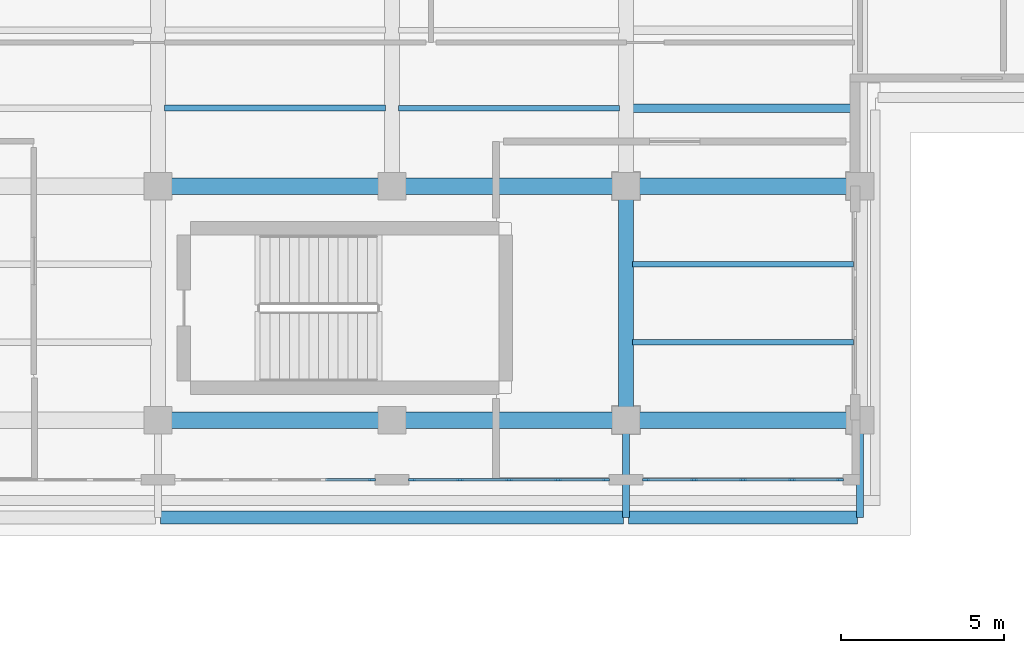
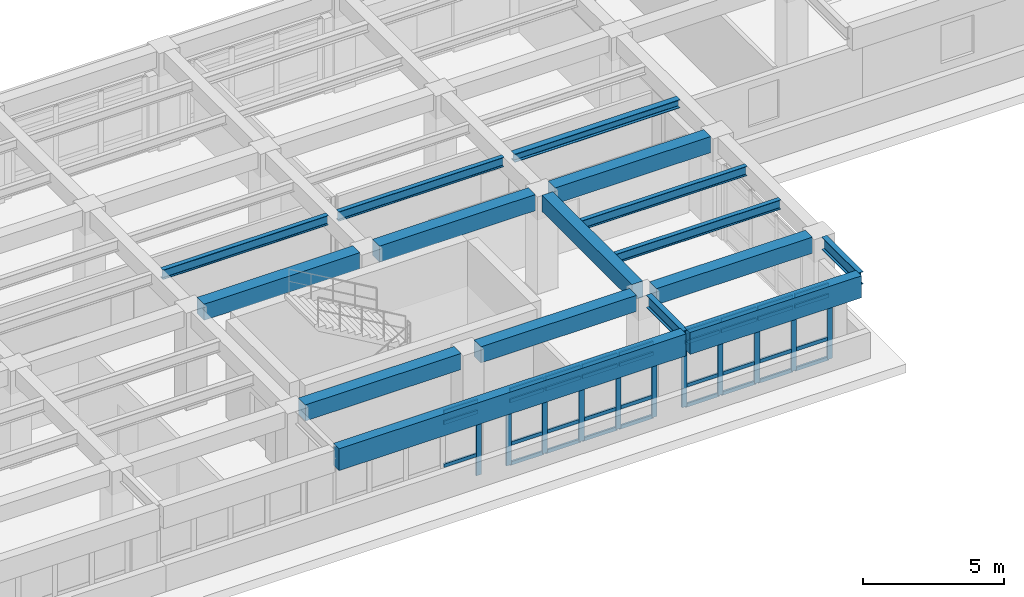
# One storey, part 41 of 98: 46 members, 16 beams, 3 elements without a shape of their own.
"""IFC4 building model written with IfcOpenShell, lengths in metres."""

from ifc_helpers import new_model, si_unit, direction, frame, origin, origin_2d, place, context, subcontext, project, spatial, rectangle, i_section, extrude, material, layer, layer_set, material_profile, profile_set, type_object, element, aggregate, save


model = new_model("IFC4")

# Units and contexts
model_context = context("Model", 3, precision=1e-05, world=origin(), true_north=direction((0.0, 1.0)))
body_context = subcontext(model_context, "Body", "Model", "MODEL_VIEW")
ifc_project = project(units=[si_unit("LENGTHUNIT", "METRE"), si_unit("AREAUNIT", "SQUARE_METRE"), si_unit("VOLUMEUNIT", "CUBIC_METRE"), si_unit("PLANEANGLEUNIT", "RADIAN"), si_unit("MASSUNIT", "GRAM", prefix="KILO")], contexts=[model_context])

# Site, building, storey
site_placement = place(None, origin())
site = spatial("IfcSite", under=ifc_project, at=site_placement, CompositionType="ELEMENT")
building_placement = place(site_placement, origin())
building = spatial("IfcBuilding", under=site, at=building_placement, Name="Solenvale Faculty of Natural Sciences", CompositionType="ELEMENT")
storey_placement = place(building_placement, frame((0.0, 0.0, 9.0)))
storey = spatial("IfcBuildingStorey", under=building, at=storey_placement, Name="L02", CompositionType="ELEMENT", Elevation=9.0)

# Beams
ifc_material_1 = material(Name="Concrete 40 MPa", Category="concrete")
ifc_material_profile_1 = material_profile(ifc_material_1, rectangle(XDim=0.449951171875, YDim=0.699951171875, at=origin_2d()), Name="RC-BM-450x700")
ifc_profile_set_1 = profile_set([ifc_material_profile_1], Name="Concrete 40 MPa")
beam_type_1 = type_object("IfcBeamType", Name="BM-RC-450x700", PredefinedType="BEAM", material=ifc_profile_set_1)
beam_1_placement = place(storey_placement, frame((108.0, 22.0048828125, 3.8701171875), z_axis=(0.0, 1.0, 0.0), x_axis=(-1.0, 0.0, 0.0)))
element("IfcBeam", 1, at=beam_1_placement, inside=storey, type_object=beam_type_1, Name="L02 Y-Girder X108.0 (21.6..28.8)", PredefinedType="BEAM", context=body_context, shape_type="SweptSolid", body=[
    extrude(rectangle(XDim=0.449951171875, YDim=0.699951171875, at=origin_2d()), origin(), (0.0, 0.0, 1.0), 6.39013671875),
])
ifc_material_profile_2 = material_profile(ifc_material_1, rectangle(XDim=0.5, YDim=0.699951171875, at=origin_2d()), Name="RC-BM-500x700")
ifc_profile_set_2 = profile_set([ifc_material_profile_2], Name="Concrete 40 MPa")
beam_type_2 = type_object("IfcBeamType", Name="BM-RC-500x700", PredefinedType="BEAM", material=ifc_profile_set_2)
beam_2_placement = place(storey_placement, frame((94.0048828125, 21.60009765625, 3.8701171875), z_axis=(1.0, 0.0, 0.0), x_axis=(0.0, 1.0, 0.0)))
element("IfcBeam", 2, at=beam_2_placement, inside=storey, type_object=beam_type_2, Name="L02 X-Girder Y21.6 (93.6..100.8)", PredefinedType="BEAM", context=body_context, shape_type="SweptSolid", body=[
    extrude(rectangle(XDim=0.5, YDim=0.699951171875, at=origin_2d()), origin(), (0.0, 0.0, 1.0), 6.39013671875),
])
for number, where, z_axis, x_axis, name in (
    (3, (101.205078125, 21.60009765625, 3.8701171875), (1.0, 0.0, 0.0), (0.0, 1.0, 0.0), "L02 X-Girder Y21.6 (100.8..108.0)"),
    (4, (108.405029296875, 21.60009765625, 3.8701171875), (1.0, 0.0, 0.0), (0.0, 1.0, 0.0), "L02 X-Girder Y21.6 (108.0..115.2)"),
):
    element("IfcBeam", number, at=place(storey_placement, frame(where, z_axis=z_axis, x_axis=x_axis)), inside=storey, type_object=beam_type_2, Name=name, PredefinedType="BEAM", context=body_context, shape_type="SweptSolid", body=[
        extrude(rectangle(XDim=0.5, YDim=0.699951171875, at=origin_2d()), origin(), (0.0, 0.0, 1.0), 6.389892578125),
    ])
beam_3_placement = place(storey_placement, frame((94.0048828125, 28.800048828125, 3.8701171875), z_axis=(1.0, 0.0, 0.0), x_axis=(0.0, 1.0, 0.0)))
element("IfcBeam", 5, at=beam_3_placement, inside=storey, type_object=beam_type_2, Name="L02 X-Girder Y28.8 (93.6..100.8)", PredefinedType="BEAM", context=body_context, shape_type="SweptSolid", body=[
    extrude(rectangle(XDim=0.5, YDim=0.699951171875, at=origin_2d()), origin(), (0.0, 0.0, 1.0), 6.39013671875),
])
for number, where, z_axis, x_axis, name in (
    (6, (101.205078125, 28.800048828125, 3.8701171875), (1.0, 0.0, 0.0), (0.0, 1.0, 0.0), "L02 X-Girder Y28.8 (100.8..108.0)"),
    (7, (108.405029296875, 28.800048828125, 3.8701171875), (1.0, 0.0, 0.0), (0.0, 1.0, 0.0), "L02 X-Girder Y28.8 (108.0..115.2)"),
):
    element("IfcBeam", number, at=place(storey_placement, frame(where, z_axis=z_axis, x_axis=x_axis)), inside=storey, type_object=beam_type_2, Name=name, PredefinedType="BEAM", context=body_context, shape_type="SweptSolid", body=[
        extrude(rectangle(XDim=0.5, YDim=0.699951171875, at=origin_2d()), origin(), (0.0, 0.0, 1.0), 6.389892578125),
    ])
ifc_material_2 = material(Name="Architectural bronze concrete 40 MPa", Category="concrete")
ifc_material_profile_3 = material_profile(ifc_material_2, rectangle(XDim=0.39990234375, YDim=0.949951171875, at=origin_2d()), Name="RC-SPN-400x950")
ifc_profile_set_3 = profile_set([ifc_material_profile_3], Name="Architectural bronze concrete 40 MPa")
beam_type_3 = type_object("IfcBeamType", Name="BM-SPN-BRZ-950", PredefinedType="SPANDREL", material=ifc_profile_set_3)
beam_4_placement = place(storey_placement, frame((93.679931640625, 18.60009765625, 3.7451171875), z_axis=(1.0, 0.0, 0.0), x_axis=(0.0, 1.0, 0.0)))
element("IfcBeam", 8, at=beam_4_placement, inside=storey, type_object=beam_type_3, Name="L03 Sliding-Tray South Bronze Fascia 5", PredefinedType="SPANDREL", context=body_context, shape_type="SweptSolid", body=[
    extrude(rectangle(XDim=0.39990234375, YDim=0.949951171875, at=origin_2d()), origin(), (0.0, 0.0, 1.0), 14.239990234375),
])
beam_5_placement = place(storey_placement, frame((108.080078125, 18.60009765625, 3.7451171875), z_axis=(1.0, 0.0, 0.0), x_axis=(0.0, 1.0, 0.0)))
element("IfcBeam", 9, at=beam_5_placement, inside=storey, type_object=beam_type_3, Name="L03 Sliding-Tray South Bronze Fascia 6", PredefinedType="SPANDREL", context=body_context, shape_type="SweptSolid", body=[
    extrude(rectangle(XDim=0.39990234375, YDim=0.949951171875, at=origin_2d()), origin(), (0.0, 0.0, 1.0), 7.0400390625),
])
ifc_material_3 = material(Name="Steel S355", Category="steel")
ifc_material_profile_4 = material_profile(ifc_material_3, i_section(OverallWidth=0.2548828125, OverallDepth=0.35693359375, WebThickness=0.010498046875, FlangeThickness=0.018310546875, FilletRadius=0.014892578125, at=origin_2d()), Name="W360x101")
ifc_profile_set_4 = profile_set([ifc_material_profile_4], Name="Steel S355")
beam_type_4 = type_object("IfcBeamType", Name="BM-STL-W360x101", PredefinedType="JOIST", material=ifc_profile_set_4)
beam_6_placement = place(storey_placement, frame((108.205078125, 31.199951171875, 4.04150390625), z_axis=(1.0, 0.0, 0.0), x_axis=(0.0, 1.0, 0.0)))
element("IfcBeam", 10, at=beam_6_placement, inside=storey, type_object=beam_type_4, Name="L02 Composite Floor Joist (16,5).1", PredefinedType="JOIST", context=body_context, shape_type="SweptSolid", body=[
    extrude(i_section(OverallWidth=0.2548828125, OverallDepth=0.35693359375, WebThickness=0.010498046875, FlangeThickness=0.018310546875, FilletRadius=0.014892578125, at=origin_2d()), origin(), (0.0, 0.0, 1.0), 6.7900390625),
])
ifc_material_profile_5 = material_profile(ifc_material_3, i_section(OverallWidth=0.178955078125, OverallDepth=0.409912109375, WebThickness=0.0087890625, FlangeThickness=0.014404296875, FilletRadius=0.01611328125, at=origin_2d()), Name="W410x67")
ifc_profile_set_5 = profile_set([ifc_material_profile_5], Name="Steel S355")
beam_type_5 = type_object("IfcBeamType", Name="BM-STL-W410x67", PredefinedType="JOIST", material=ifc_profile_set_5)
for number, where, z_axis, x_axis, name in (
    (11, (101.0048828125, 31.199951171875, 4.014892578125), (1.0, 0.0, 0.0), (0.0, 1.0, 0.0), "L02 Composite Floor Joist (15,5).1"),
    (12, (108.205078125, 24.0, 4.014892578125), (1.0, 0.0, 0.0), (0.0, 1.0, 0.0), "L02 Composite Floor Joist (16,4).1"),
    (13, (108.205078125, 26.39990234375, 4.014892578125), (1.0, 0.0, 0.0), (0.0, 1.0, 0.0), "L02 Composite Floor Joist (16,4).2"),
):
    element("IfcBeam", number, at=place(storey_placement, frame(where, z_axis=z_axis, x_axis=x_axis)), inside=storey, type_object=beam_type_5, Name=name, PredefinedType="JOIST", context=body_context, shape_type="SweptSolid", body=[
        extrude(i_section(OverallWidth=0.178955078125, OverallDepth=0.409912109375, WebThickness=0.0087890625, FlangeThickness=0.014404296875, FilletRadius=0.01611328125, at=origin_2d()), origin(), (0.0, 0.0, 1.0), 6.7900390625),
    ])
ifc_material_profile_6 = material_profile(ifc_material_3, i_section(OverallWidth=0.180908203125, OverallDepth=0.4169921875, WebThickness=0.010986328125, FlangeThickness=0.018310546875, FilletRadius=0.01611328125, at=origin_2d()), Name="W410x85")
ifc_profile_set_6 = profile_set([ifc_material_profile_6], Name="Steel S355")
beam_type_6 = type_object("IfcBeamType", Name="BM-STL-W410x85", PredefinedType="JOIST", material=ifc_profile_set_6)
beam_7_placement = place(storey_placement, frame((93.804931640625, 31.199951171875, 4.011474609375), z_axis=(1.0, 0.0, 0.0), x_axis=(0.0, 1.0, 0.0)))
element("IfcBeam", 14, at=beam_7_placement, inside=storey, type_object=beam_type_6, Name="L02 Composite Floor Joist (14,5).1", PredefinedType="JOIST", context=body_context, shape_type="SweptSolid", body=[
    extrude(i_section(OverallWidth=0.180908203125, OverallDepth=0.4169921875, WebThickness=0.010986328125, FlangeThickness=0.018310546875, FilletRadius=0.01611328125, at=origin_2d()), origin(), (0.0, 0.0, 1.0), 6.7900390625),
])
ifc_material_profile_7 = material_profile(ifc_material_3, i_section(OverallWidth=0.2119140625, OverallDepth=0.5439453125, WebThickness=0.01318359375, FlangeThickness=0.021240234375, FilletRadius=0.01904296875, at=origin_2d()), Name="W530x123")
ifc_profile_set_7 = profile_set([ifc_material_profile_7], Name="Steel S355")
beam_type_7 = type_object("IfcBeamType", Name="BM-STL-W530x123", PredefinedType="BEAM", material=ifc_profile_set_7)
for number, where, z_axis, x_axis, name in (
    (15, (108.0, 21.195068359375, 3.947998046875), (0.0, -1.0, 0.0), (1.0, 0.0, 0.0), "L02 V4 Cantilever Tray Girder X108.0"),
    (16, (115.199951171875, 21.195068359375, 3.947998046875), (0.0, -1.0, 0.0), (1.0, 0.0, 0.0), "L02 V4 Cantilever Tray Girder X115.2"),
):
    element("IfcBeam", number, at=place(storey_placement, frame(where, z_axis=z_axis, x_axis=x_axis)), inside=storey, type_object=beam_type_7, Name=name, PredefinedType="BEAM", context=body_context, shape_type="SweptSolid", body=[
        extrude(i_section(OverallWidth=0.2119140625, OverallDepth=0.5439453125, WebThickness=0.01318359375, FlangeThickness=0.021240234375, FilletRadius=0.01904296875, at=origin_2d()), origin(), (0.0, 0.0, 1.0), 2.594970703125),
    ])

# Curtain wall, member
ifc_material_4 = material(Name="Anodised bronze aluminium", Category="aluminium")
ifc_layer = layer(ifc_material_4, 0.18994140625)
ifc_layer_set = layer_set([ifc_layer], Name="Anodised bronze aluminium")
curtain_wall_type = type_object("IfcCurtainWallType", Name="CW-TRAY-REC", PredefinedType="USERDEFINED", material=ifc_layer_set)
curtain_wall_1_placement = place(storey_placement, origin())
curtain_wall_1 = element("IfcCurtainWall", 17, at=curtain_wall_1_placement, inside=storey, type_object=curtain_wall_type, Name="L02 Curtain Wall CW-L02-P1-E12-B6", ObjectType="UNITISED CURTAIN WALL", PredefinedType="USERDEFINED")
ifc_material_profile_8 = material_profile(ifc_material_4, rectangle(XDim=0.074951171875, YDim=0.2099609375, at=origin_2d()), Name="ALU-MUL-75x210")
ifc_profile_set_8 = profile_set([ifc_material_profile_8], Name="Anodised bronze aluminium")
member_type_1 = type_object("IfcMemberType", Name="CWM-ALU-75x210", PredefinedType="MULLION", material=ifc_profile_set_8)
member_1_placement = place(storey_placement, frame((100.1826171875, 19.762451171875, 0.0), z_axis=(0.0, 0.0, 1.0), x_axis=(0.0, 1.0, 0.0)))
member_1 = element("IfcMember", 18, at=member_1_placement, type_object=member_type_1, Name="CW-02 mullion 5", PredefinedType="MULLION", context=body_context, shape_type="SweptSolid", body=[
    extrude(rectangle(XDim=0.074951171875, YDim=0.2099609375, at=origin_2d()), origin(), (0.0, 0.0, 1.0), 3.260009765625),
])

# Curtain wall, members
curtain_wall_2_placement = place(storey_placement, origin())
curtain_wall_2 = element("IfcCurtainWall", 19, at=curtain_wall_2_placement, inside=storey, type_object=curtain_wall_type, Name="L02 Curtain Wall CW-L02-P1-E12-B7", ObjectType="UNITISED CURTAIN WALL", PredefinedType="USERDEFINED")
member_2_placement = place(storey_placement, frame((101.41748046875, 19.762451171875, 0.0), z_axis=(0.0, 0.0, 1.0), x_axis=(0.0, 1.0, 0.0)))
member_2 = element("IfcMember", 20, at=member_2_placement, type_object=member_type_1, Name="CW-02 mullion 1", PredefinedType="MULLION", context=body_context, shape_type="SweptSolid", body=[
    extrude(rectangle(XDim=0.074951171875, YDim=0.2099609375, at=origin_2d()), origin(), (0.0, 0.0, 1.0), 3.260009765625),
])
member_3_placement = place(storey_placement, frame((102.889892578125, 19.762451171875, 0.0), z_axis=(0.0, 0.0, 1.0), x_axis=(0.0, 1.0, 0.0)))
member_3 = element("IfcMember", 21, at=member_3_placement, type_object=member_type_1, Name="CW-02 mullion 2", PredefinedType="MULLION", context=body_context, shape_type="SweptSolid", body=[
    extrude(rectangle(XDim=0.074951171875, YDim=0.2099609375, at=origin_2d()), origin(), (0.0, 0.0, 1.0), 3.260009765625),
])
member_4_placement = place(storey_placement, frame((104.39990234375, 19.762451171875, 0.0), z_axis=(0.0, 0.0, 1.0), x_axis=(0.0, 1.0, 0.0)))
member_4 = element("IfcMember", 22, at=member_4_placement, type_object=member_type_1, Name="CW-02 mullion 3", PredefinedType="MULLION", context=body_context, shape_type="SweptSolid", body=[
    extrude(rectangle(XDim=0.074951171875, YDim=0.2099609375, at=origin_2d()), origin(), (0.0, 0.0, 1.0), 3.260009765625),
])
member_5_placement = place(storey_placement, frame((105.909912109375, 19.762451171875, 0.0), z_axis=(0.0, 0.0, 1.0), x_axis=(0.0, 1.0, 0.0)))
member_5 = element("IfcMember", 23, at=member_5_placement, type_object=member_type_1, Name="CW-02 mullion 4", PredefinedType="MULLION", context=body_context, shape_type="SweptSolid", body=[
    extrude(rectangle(XDim=0.074951171875, YDim=0.2099609375, at=origin_2d()), origin(), (0.0, 0.0, 1.0), 3.260009765625),
])
member_6_placement = place(storey_placement, frame((107.382568359375, 19.762451171875, 0.0), z_axis=(0.0, 0.0, 1.0), x_axis=(0.0, 1.0, 0.0)))
member_6 = element("IfcMember", 24, at=member_6_placement, type_object=member_type_1, Name="CW-02 mullion 5", PredefinedType="MULLION", context=body_context, shape_type="SweptSolid", body=[
    extrude(rectangle(XDim=0.074951171875, YDim=0.2099609375, at=origin_2d()), origin(), (0.0, 0.0, 1.0), 3.260009765625),
])

curtain_wall_3_placement = place(storey_placement, origin())
curtain_wall_3 = element("IfcCurtainWall", 25, at=curtain_wall_3_placement, inside=storey, type_object=curtain_wall_type, Name="L02 Curtain Wall CW-L02-P1-E12-B8", ObjectType="UNITISED CURTAIN WALL", PredefinedType="USERDEFINED")
member_7_placement = place(storey_placement, frame((108.617431640625, 19.762451171875, 0.0), z_axis=(0.0, 0.0, 1.0), x_axis=(0.0, 1.0, 0.0)))
member_7 = element("IfcMember", 26, at=member_7_placement, type_object=member_type_1, Name="CW-02 mullion 1", PredefinedType="MULLION", context=body_context, shape_type="SweptSolid", body=[
    extrude(rectangle(XDim=0.074951171875, YDim=0.2099609375, at=origin_2d()), origin(), (0.0, 0.0, 1.0), 3.260009765625),
])
member_8_placement = place(storey_placement, frame((110.090087890625, 19.762451171875, 0.0), z_axis=(0.0, 0.0, 1.0), x_axis=(0.0, 1.0, 0.0)))
member_8 = element("IfcMember", 27, at=member_8_placement, type_object=member_type_1, Name="CW-02 mullion 2", PredefinedType="MULLION", context=body_context, shape_type="SweptSolid", body=[
    extrude(rectangle(XDim=0.074951171875, YDim=0.2099609375, at=origin_2d()), origin(), (0.0, 0.0, 1.0), 3.260009765625),
])
member_9_placement = place(storey_placement, frame((111.60009765625, 19.762451171875, 0.0), z_axis=(0.0, 0.0, 1.0), x_axis=(0.0, 1.0, 0.0)))
member_9 = element("IfcMember", 28, at=member_9_placement, type_object=member_type_1, Name="CW-02 mullion 3", PredefinedType="MULLION", context=body_context, shape_type="SweptSolid", body=[
    extrude(rectangle(XDim=0.074951171875, YDim=0.2099609375, at=origin_2d()), origin(), (0.0, 0.0, 1.0), 3.260009765625),
])
member_10_placement = place(storey_placement, frame((113.110107421875, 19.762451171875, 0.0), z_axis=(0.0, 0.0, 1.0), x_axis=(0.0, 1.0, 0.0)))
member_10 = element("IfcMember", 29, at=member_10_placement, type_object=member_type_1, Name="CW-02 mullion 4", PredefinedType="MULLION", context=body_context, shape_type="SweptSolid", body=[
    extrude(rectangle(XDim=0.074951171875, YDim=0.2099609375, at=origin_2d()), origin(), (0.0, 0.0, 1.0), 3.260009765625),
])
member_11_placement = place(storey_placement, frame((114.58251953125, 19.762451171875, 0.0), z_axis=(0.0, 0.0, 1.0), x_axis=(0.0, 1.0, 0.0)))
member_11 = element("IfcMember", 30, at=member_11_placement, type_object=member_type_1, Name="CW-02 mullion 5", PredefinedType="MULLION", context=body_context, shape_type="SweptSolid", body=[
    extrude(rectangle(XDim=0.074951171875, YDim=0.2099609375, at=origin_2d()), origin(), (0.0, 0.0, 1.0), 3.260009765625),
])

# Member
ifc_material_profile_9 = material_profile(ifc_material_4, rectangle(XDim=0.074951171875, YDim=0.155029296875, at=origin_2d()), Name="ALU-TRN-75x155")
ifc_profile_set_9 = profile_set([ifc_material_profile_9], Name="Anodised bronze aluminium")
member_type_2 = type_object("IfcMemberType", Name="CWT-ALU-75x155", PredefinedType="USERDEFINED", material=ifc_profile_set_9)
member_12_placement = place(storey_placement, frame((98.74755859375, 19.762451171875, 0.89990234375), z_axis=(1.0, 0.0, 0.0), x_axis=(0.0, 1.0, 0.0)))
member_12 = element("IfcMember", 31, at=member_12_placement, type_object=member_type_2, Name="CW-02 transom 4.2", ObjectType="TRANSOM", PredefinedType="USERDEFINED", context=body_context, shape_type="SweptSolid", body=[
    extrude(rectangle(XDim=0.074951171875, YDim=0.155029296875, at=origin_2d()), origin(), (0.0, 0.0, 1.0), 1.3974609375),
])

member_13_placement = place(storey_placement, frame((98.74755859375, 19.762451171875, 2.760009765625), z_axis=(1.0, 0.0, 0.0), x_axis=(0.0, 1.0, 0.0)))
member_13 = element("IfcMember", 32, at=member_13_placement, type_object=member_type_2, Name="CW-02 transom 4.3", ObjectType="TRANSOM", PredefinedType="USERDEFINED", context=body_context, shape_type="SweptSolid", body=[
    extrude(rectangle(XDim=0.074951171875, YDim=0.155029296875, at=origin_2d()), origin(), (0.0, 0.0, 1.0), 1.3974609375),
])

member_14_placement = place(storey_placement, frame((98.74755859375, 19.762451171875, 3.222412109375), z_axis=(1.0, 0.0, 0.0), x_axis=(0.0, 1.0, 0.0)))
member_14 = element("IfcMember", 33, at=member_14_placement, type_object=member_type_2, Name="CW-02 transom 4.4", ObjectType="TRANSOM", PredefinedType="USERDEFINED", context=body_context, shape_type="SweptSolid", body=[
    extrude(rectangle(XDim=0.074951171875, YDim=0.155029296875, at=origin_2d()), origin(), (0.0, 0.0, 1.0), 1.3974609375),
])

aggregate(curtain_wall_1, [member_1, member_12, member_13, member_14])

member_15_placement = place(storey_placement, frame((101.455078125, 19.762451171875, 0.03759765625), z_axis=(1.0, 0.0, 0.0), x_axis=(0.0, 1.0, 0.0)))
member_15 = element("IfcMember", 34, at=member_15_placement, type_object=member_type_2, Name="CW-02 transom 1.1", ObjectType="TRANSOM", PredefinedType="USERDEFINED", context=body_context, shape_type="SweptSolid", body=[
    extrude(rectangle(XDim=0.074951171875, YDim=0.155029296875, at=origin_2d()), origin(), (0.0, 0.0, 1.0), 1.3974609375),
])

member_16_placement = place(storey_placement, frame((101.455078125, 19.762451171875, 0.89990234375), z_axis=(1.0, 0.0, 0.0), x_axis=(0.0, 1.0, 0.0)))
member_16 = element("IfcMember", 35, at=member_16_placement, type_object=member_type_2, Name="CW-02 transom 1.2", ObjectType="TRANSOM", PredefinedType="USERDEFINED", context=body_context, shape_type="SweptSolid", body=[
    extrude(rectangle(XDim=0.074951171875, YDim=0.155029296875, at=origin_2d()), origin(), (0.0, 0.0, 1.0), 1.3974609375),
])

member_17_placement = place(storey_placement, frame((101.455078125, 19.762451171875, 2.760009765625), z_axis=(1.0, 0.0, 0.0), x_axis=(0.0, 1.0, 0.0)))
member_17 = element("IfcMember", 36, at=member_17_placement, type_object=member_type_2, Name="CW-02 transom 1.3", ObjectType="TRANSOM", PredefinedType="USERDEFINED", context=body_context, shape_type="SweptSolid", body=[
    extrude(rectangle(XDim=0.074951171875, YDim=0.155029296875, at=origin_2d()), origin(), (0.0, 0.0, 1.0), 1.3974609375),
])

member_18_placement = place(storey_placement, frame((101.455078125, 19.762451171875, 3.222412109375), z_axis=(1.0, 0.0, 0.0), x_axis=(0.0, 1.0, 0.0)))
member_18 = element("IfcMember", 37, at=member_18_placement, type_object=member_type_2, Name="CW-02 transom 1.4", ObjectType="TRANSOM", PredefinedType="USERDEFINED", context=body_context, shape_type="SweptSolid", body=[
    extrude(rectangle(XDim=0.074951171875, YDim=0.155029296875, at=origin_2d()), origin(), (0.0, 0.0, 1.0), 1.3974609375),
])

member_19_placement = place(storey_placement, frame((102.927490234375, 19.762451171875, 0.03759765625), z_axis=(1.0, 0.0, 0.0), x_axis=(0.0, 1.0, 0.0)))
member_19 = element("IfcMember", 38, at=member_19_placement, type_object=member_type_2, Name="CW-02 transom 2.1", ObjectType="TRANSOM", PredefinedType="USERDEFINED", context=body_context, shape_type="SweptSolid", body=[
    extrude(rectangle(XDim=0.074951171875, YDim=0.155029296875, at=origin_2d()), origin(), (0.0, 0.0, 1.0), 1.43505859375),
])

member_20_placement = place(storey_placement, frame((102.927490234375, 19.762451171875, 0.89990234375), z_axis=(1.0, 0.0, 0.0), x_axis=(0.0, 1.0, 0.0)))
member_20 = element("IfcMember", 39, at=member_20_placement, type_object=member_type_2, Name="CW-02 transom 2.2", ObjectType="TRANSOM", PredefinedType="USERDEFINED", context=body_context, shape_type="SweptSolid", body=[
    extrude(rectangle(XDim=0.074951171875, YDim=0.155029296875, at=origin_2d()), origin(), (0.0, 0.0, 1.0), 1.43505859375),
])

member_21_placement = place(storey_placement, frame((102.927490234375, 19.762451171875, 2.760009765625), z_axis=(1.0, 0.0, 0.0), x_axis=(0.0, 1.0, 0.0)))
member_21 = element("IfcMember", 40, at=member_21_placement, type_object=member_type_2, Name="CW-02 transom 2.3", ObjectType="TRANSOM", PredefinedType="USERDEFINED", context=body_context, shape_type="SweptSolid", body=[
    extrude(rectangle(XDim=0.074951171875, YDim=0.155029296875, at=origin_2d()), origin(), (0.0, 0.0, 1.0), 1.43505859375),
])

member_22_placement = place(storey_placement, frame((102.927490234375, 19.762451171875, 3.222412109375), z_axis=(1.0, 0.0, 0.0), x_axis=(0.0, 1.0, 0.0)))
member_22 = element("IfcMember", 41, at=member_22_placement, type_object=member_type_2, Name="CW-02 transom 2.4", ObjectType="TRANSOM", PredefinedType="USERDEFINED", context=body_context, shape_type="SweptSolid", body=[
    extrude(rectangle(XDim=0.074951171875, YDim=0.155029296875, at=origin_2d()), origin(), (0.0, 0.0, 1.0), 1.43505859375),
])

member_23_placement = place(storey_placement, frame((104.4375, 19.762451171875, 0.03759765625), z_axis=(1.0, 0.0, 0.0), x_axis=(0.0, 1.0, 0.0)))
member_23 = element("IfcMember", 42, at=member_23_placement, type_object=member_type_2, Name="CW-02 transom 3.1", ObjectType="TRANSOM", PredefinedType="USERDEFINED", context=body_context, shape_type="SweptSolid", body=[
    extrude(rectangle(XDim=0.074951171875, YDim=0.155029296875, at=origin_2d()), origin(), (0.0, 0.0, 1.0), 1.43505859375),
])

member_24_placement = place(storey_placement, frame((104.4375, 19.762451171875, 0.89990234375), z_axis=(1.0, 0.0, 0.0), x_axis=(0.0, 1.0, 0.0)))
member_24 = element("IfcMember", 43, at=member_24_placement, type_object=member_type_2, Name="CW-02 transom 3.2", ObjectType="TRANSOM", PredefinedType="USERDEFINED", context=body_context, shape_type="SweptSolid", body=[
    extrude(rectangle(XDim=0.074951171875, YDim=0.155029296875, at=origin_2d()), origin(), (0.0, 0.0, 1.0), 1.43505859375),
])

member_25_placement = place(storey_placement, frame((104.4375, 19.762451171875, 2.760009765625), z_axis=(1.0, 0.0, 0.0), x_axis=(0.0, 1.0, 0.0)))
member_25 = element("IfcMember", 44, at=member_25_placement, type_object=member_type_2, Name="CW-02 transom 3.3", ObjectType="TRANSOM", PredefinedType="USERDEFINED", context=body_context, shape_type="SweptSolid", body=[
    extrude(rectangle(XDim=0.074951171875, YDim=0.155029296875, at=origin_2d()), origin(), (0.0, 0.0, 1.0), 1.43505859375),
])

member_26_placement = place(storey_placement, frame((104.4375, 19.762451171875, 3.222412109375), z_axis=(1.0, 0.0, 0.0), x_axis=(0.0, 1.0, 0.0)))
member_26 = element("IfcMember", 45, at=member_26_placement, type_object=member_type_2, Name="CW-02 transom 3.4", ObjectType="TRANSOM", PredefinedType="USERDEFINED", context=body_context, shape_type="SweptSolid", body=[
    extrude(rectangle(XDim=0.074951171875, YDim=0.155029296875, at=origin_2d()), origin(), (0.0, 0.0, 1.0), 1.43505859375),
])

member_27_placement = place(storey_placement, frame((105.947509765625, 19.762451171875, 0.03759765625), z_axis=(1.0, 0.0, 0.0), x_axis=(0.0, 1.0, 0.0)))
member_27 = element("IfcMember", 46, at=member_27_placement, type_object=member_type_2, Name="CW-02 transom 4.1", ObjectType="TRANSOM", PredefinedType="USERDEFINED", context=body_context, shape_type="SweptSolid", body=[
    extrude(rectangle(XDim=0.074951171875, YDim=0.155029296875, at=origin_2d()), origin(), (0.0, 0.0, 1.0), 1.3974609375),
])

member_28_placement = place(storey_placement, frame((105.947509765625, 19.762451171875, 0.89990234375), z_axis=(1.0, 0.0, 0.0), x_axis=(0.0, 1.0, 0.0)))
member_28 = element("IfcMember", 47, at=member_28_placement, type_object=member_type_2, Name="CW-02 transom 4.2", ObjectType="TRANSOM", PredefinedType="USERDEFINED", context=body_context, shape_type="SweptSolid", body=[
    extrude(rectangle(XDim=0.074951171875, YDim=0.155029296875, at=origin_2d()), origin(), (0.0, 0.0, 1.0), 1.3974609375),
])

member_29_placement = place(storey_placement, frame((105.947509765625, 19.762451171875, 2.760009765625), z_axis=(1.0, 0.0, 0.0), x_axis=(0.0, 1.0, 0.0)))
member_29 = element("IfcMember", 48, at=member_29_placement, type_object=member_type_2, Name="CW-02 transom 4.3", ObjectType="TRANSOM", PredefinedType="USERDEFINED", context=body_context, shape_type="SweptSolid", body=[
    extrude(rectangle(XDim=0.074951171875, YDim=0.155029296875, at=origin_2d()), origin(), (0.0, 0.0, 1.0), 1.3974609375),
])

member_30_placement = place(storey_placement, frame((105.947509765625, 19.762451171875, 3.222412109375), z_axis=(1.0, 0.0, 0.0), x_axis=(0.0, 1.0, 0.0)))
member_30 = element("IfcMember", 49, at=member_30_placement, type_object=member_type_2, Name="CW-02 transom 4.4", ObjectType="TRANSOM", PredefinedType="USERDEFINED", context=body_context, shape_type="SweptSolid", body=[
    extrude(rectangle(XDim=0.074951171875, YDim=0.155029296875, at=origin_2d()), origin(), (0.0, 0.0, 1.0), 1.3974609375),
])

aggregate(curtain_wall_2, [member_2, member_3, member_4, member_5, member_6, member_15, member_16, member_17, member_18, member_19, member_20, member_21, member_22, member_23, member_24, member_25, member_26, member_27, member_28, member_29, member_30])

member_31_placement = place(storey_placement, frame((108.655029296875, 19.762451171875, 0.03759765625), z_axis=(1.0, 0.0, 0.0), x_axis=(0.0, 1.0, 0.0)))
member_31 = element("IfcMember", 50, at=member_31_placement, type_object=member_type_2, Name="CW-02 transom 1.1", ObjectType="TRANSOM", PredefinedType="USERDEFINED", context=body_context, shape_type="SweptSolid", body=[
    extrude(rectangle(XDim=0.074951171875, YDim=0.155029296875, at=origin_2d()), origin(), (0.0, 0.0, 1.0), 1.3974609375),
])

member_32_placement = place(storey_placement, frame((108.655029296875, 19.762451171875, 0.89990234375), z_axis=(1.0, 0.0, 0.0), x_axis=(0.0, 1.0, 0.0)))
member_32 = element("IfcMember", 51, at=member_32_placement, type_object=member_type_2, Name="CW-02 transom 1.2", ObjectType="TRANSOM", PredefinedType="USERDEFINED", context=body_context, shape_type="SweptSolid", body=[
    extrude(rectangle(XDim=0.074951171875, YDim=0.155029296875, at=origin_2d()), origin(), (0.0, 0.0, 1.0), 1.3974609375),
])

member_33_placement = place(storey_placement, frame((108.655029296875, 19.762451171875, 2.760009765625), z_axis=(1.0, 0.0, 0.0), x_axis=(0.0, 1.0, 0.0)))
member_33 = element("IfcMember", 52, at=member_33_placement, type_object=member_type_2, Name="CW-02 transom 1.3", ObjectType="TRANSOM", PredefinedType="USERDEFINED", context=body_context, shape_type="SweptSolid", body=[
    extrude(rectangle(XDim=0.074951171875, YDim=0.155029296875, at=origin_2d()), origin(), (0.0, 0.0, 1.0), 1.3974609375),
])

member_34_placement = place(storey_placement, frame((108.655029296875, 19.762451171875, 3.222412109375), z_axis=(1.0, 0.0, 0.0), x_axis=(0.0, 1.0, 0.0)))
member_34 = element("IfcMember", 53, at=member_34_placement, type_object=member_type_2, Name="CW-02 transom 1.4", ObjectType="TRANSOM", PredefinedType="USERDEFINED", context=body_context, shape_type="SweptSolid", body=[
    extrude(rectangle(XDim=0.074951171875, YDim=0.155029296875, at=origin_2d()), origin(), (0.0, 0.0, 1.0), 1.3974609375),
])

member_35_placement = place(storey_placement, frame((110.12744140625, 19.762451171875, 0.03759765625), z_axis=(1.0, 0.0, 0.0), x_axis=(0.0, 1.0, 0.0)))
member_35 = element("IfcMember", 54, at=member_35_placement, type_object=member_type_2, Name="CW-02 transom 2.1", ObjectType="TRANSOM", PredefinedType="USERDEFINED", context=body_context, shape_type="SweptSolid", body=[
    extrude(rectangle(XDim=0.074951171875, YDim=0.155029296875, at=origin_2d()), origin(), (0.0, 0.0, 1.0), 1.43505859375),
])

member_36_placement = place(storey_placement, frame((110.12744140625, 19.762451171875, 0.89990234375), z_axis=(1.0, 0.0, 0.0), x_axis=(0.0, 1.0, 0.0)))
member_36 = element("IfcMember", 55, at=member_36_placement, type_object=member_type_2, Name="CW-02 transom 2.2", ObjectType="TRANSOM", PredefinedType="USERDEFINED", context=body_context, shape_type="SweptSolid", body=[
    extrude(rectangle(XDim=0.074951171875, YDim=0.155029296875, at=origin_2d()), origin(), (0.0, 0.0, 1.0), 1.43505859375),
])

member_37_placement = place(storey_placement, frame((110.12744140625, 19.762451171875, 2.760009765625), z_axis=(1.0, 0.0, 0.0), x_axis=(0.0, 1.0, 0.0)))
member_37 = element("IfcMember", 56, at=member_37_placement, type_object=member_type_2, Name="CW-02 transom 2.3", ObjectType="TRANSOM", PredefinedType="USERDEFINED", context=body_context, shape_type="SweptSolid", body=[
    extrude(rectangle(XDim=0.074951171875, YDim=0.155029296875, at=origin_2d()), origin(), (0.0, 0.0, 1.0), 1.43505859375),
])

member_38_placement = place(storey_placement, frame((110.12744140625, 19.762451171875, 3.222412109375), z_axis=(1.0, 0.0, 0.0), x_axis=(0.0, 1.0, 0.0)))
member_38 = element("IfcMember", 57, at=member_38_placement, type_object=member_type_2, Name="CW-02 transom 2.4", ObjectType="TRANSOM", PredefinedType="USERDEFINED", context=body_context, shape_type="SweptSolid", body=[
    extrude(rectangle(XDim=0.074951171875, YDim=0.155029296875, at=origin_2d()), origin(), (0.0, 0.0, 1.0), 1.43505859375),
])

member_39_placement = place(storey_placement, frame((111.637451171875, 19.762451171875, 0.03759765625), z_axis=(1.0, 0.0, 0.0), x_axis=(0.0, 1.0, 0.0)))
member_39 = element("IfcMember", 58, at=member_39_placement, type_object=member_type_2, Name="CW-02 transom 3.1", ObjectType="TRANSOM", PredefinedType="USERDEFINED", context=body_context, shape_type="SweptSolid", body=[
    extrude(rectangle(XDim=0.074951171875, YDim=0.155029296875, at=origin_2d()), origin(), (0.0, 0.0, 1.0), 1.43505859375),
])

member_40_placement = place(storey_placement, frame((111.637451171875, 19.762451171875, 0.89990234375), z_axis=(1.0, 0.0, 0.0), x_axis=(0.0, 1.0, 0.0)))
member_40 = element("IfcMember", 59, at=member_40_placement, type_object=member_type_2, Name="CW-02 transom 3.2", ObjectType="TRANSOM", PredefinedType="USERDEFINED", context=body_context, shape_type="SweptSolid", body=[
    extrude(rectangle(XDim=0.074951171875, YDim=0.155029296875, at=origin_2d()), origin(), (0.0, 0.0, 1.0), 1.43505859375),
])

member_41_placement = place(storey_placement, frame((111.637451171875, 19.762451171875, 2.760009765625), z_axis=(1.0, 0.0, 0.0), x_axis=(0.0, 1.0, 0.0)))
member_41 = element("IfcMember", 60, at=member_41_placement, type_object=member_type_2, Name="CW-02 transom 3.3", ObjectType="TRANSOM", PredefinedType="USERDEFINED", context=body_context, shape_type="SweptSolid", body=[
    extrude(rectangle(XDim=0.074951171875, YDim=0.155029296875, at=origin_2d()), origin(), (0.0, 0.0, 1.0), 1.43505859375),
])

member_42_placement = place(storey_placement, frame((111.637451171875, 19.762451171875, 3.222412109375), z_axis=(1.0, 0.0, 0.0), x_axis=(0.0, 1.0, 0.0)))
member_42 = element("IfcMember", 61, at=member_42_placement, type_object=member_type_2, Name="CW-02 transom 3.4", ObjectType="TRANSOM", PredefinedType="USERDEFINED", context=body_context, shape_type="SweptSolid", body=[
    extrude(rectangle(XDim=0.074951171875, YDim=0.155029296875, at=origin_2d()), origin(), (0.0, 0.0, 1.0), 1.43505859375),
])

member_43_placement = place(storey_placement, frame((113.1474609375, 19.762451171875, 0.03759765625), z_axis=(1.0, 0.0, 0.0), x_axis=(0.0, 1.0, 0.0)))
member_43 = element("IfcMember", 62, at=member_43_placement, type_object=member_type_2, Name="CW-02 transom 4.1", ObjectType="TRANSOM", PredefinedType="USERDEFINED", context=body_context, shape_type="SweptSolid", body=[
    extrude(rectangle(XDim=0.074951171875, YDim=0.155029296875, at=origin_2d()), origin(), (0.0, 0.0, 1.0), 1.3974609375),
])

member_44_placement = place(storey_placement, frame((113.1474609375, 19.762451171875, 0.89990234375), z_axis=(1.0, 0.0, 0.0), x_axis=(0.0, 1.0, 0.0)))
member_44 = element("IfcMember", 63, at=member_44_placement, type_object=member_type_2, Name="CW-02 transom 4.2", ObjectType="TRANSOM", PredefinedType="USERDEFINED", context=body_context, shape_type="SweptSolid", body=[
    extrude(rectangle(XDim=0.074951171875, YDim=0.155029296875, at=origin_2d()), origin(), (0.0, 0.0, 1.0), 1.3974609375),
])

member_45_placement = place(storey_placement, frame((113.1474609375, 19.762451171875, 2.760009765625), z_axis=(1.0, 0.0, 0.0), x_axis=(0.0, 1.0, 0.0)))
member_45 = element("IfcMember", 64, at=member_45_placement, type_object=member_type_2, Name="CW-02 transom 4.3", ObjectType="TRANSOM", PredefinedType="USERDEFINED", context=body_context, shape_type="SweptSolid", body=[
    extrude(rectangle(XDim=0.074951171875, YDim=0.155029296875, at=origin_2d()), origin(), (0.0, 0.0, 1.0), 1.3974609375),
])

member_46_placement = place(storey_placement, frame((113.1474609375, 19.762451171875, 3.222412109375), z_axis=(1.0, 0.0, 0.0), x_axis=(0.0, 1.0, 0.0)))
member_46 = element("IfcMember", 65, at=member_46_placement, type_object=member_type_2, Name="CW-02 transom 4.4", ObjectType="TRANSOM", PredefinedType="USERDEFINED", context=body_context, shape_type="SweptSolid", body=[
    extrude(rectangle(XDim=0.074951171875, YDim=0.155029296875, at=origin_2d()), origin(), (0.0, 0.0, 1.0), 1.3974609375),
])

aggregate(curtain_wall_3, [member_7, member_8, member_9, member_10, member_11, member_31, member_32, member_33, member_34, member_35, member_36, member_37, member_38, member_39, member_40, member_41, member_42, member_43, member_44, member_45, member_46])

save(model, "model.ifc")
